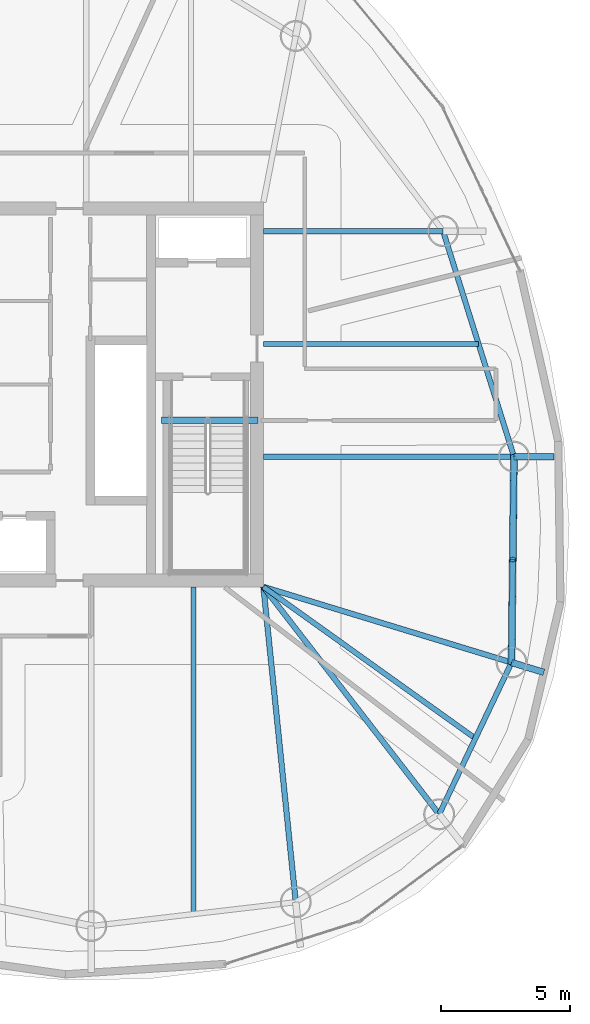
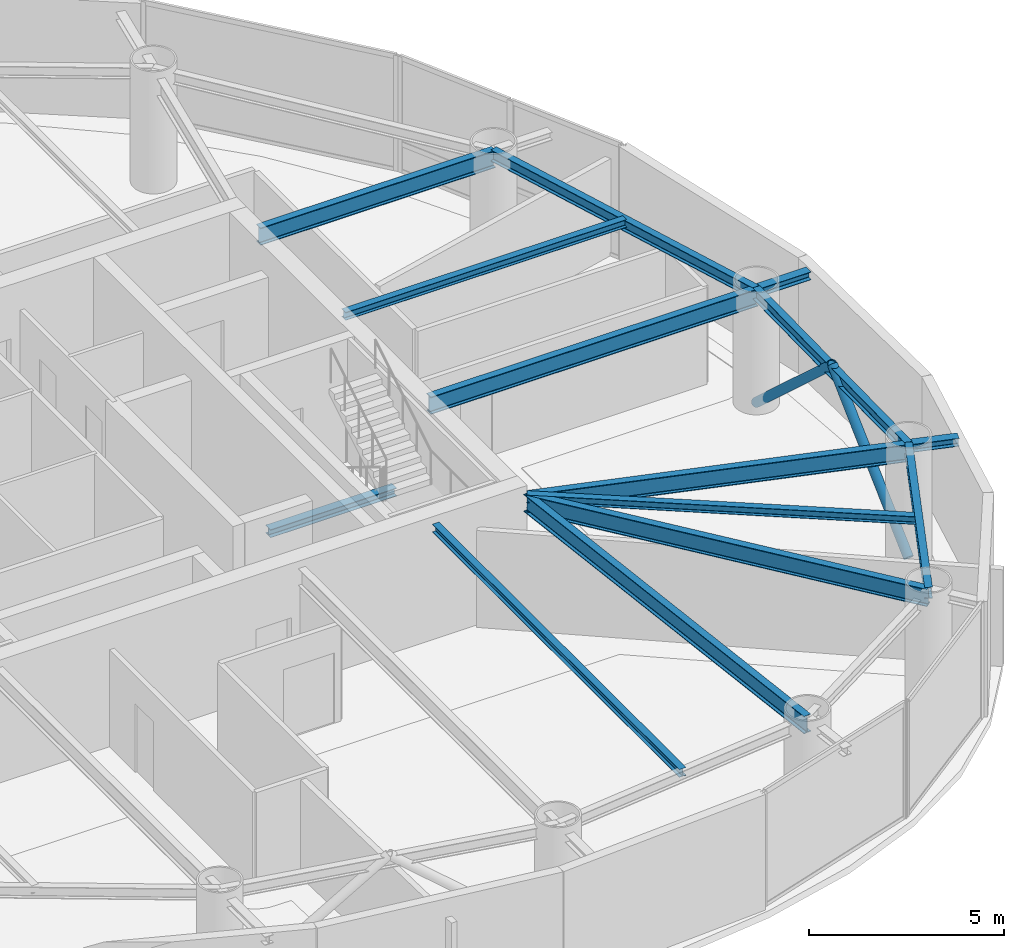
# One storey, part 7 of 20: 14 beams, 2 members.
"""IFC4 building model written with IfcOpenShell, lengths in metres."""

from ifc_helpers import new_model, si_unit, direction, frame, origin, origin_2d, place, context, subcontext, project, spatial, hollow_circle, i_section, extrude, material, material_profile, profile_set, type_object, element, save


model = new_model("IFC4")

# Units and contexts
model_context = context("Model", 3, precision=1e-05, world=origin(), true_north=direction((0.0, 1.0)))
body_context = subcontext(model_context, "Body", "Model", "MODEL_VIEW")
ifc_project = project(units=[si_unit("LENGTHUNIT", "METRE"), si_unit("AREAUNIT", "SQUARE_METRE"), si_unit("VOLUMEUNIT", "CUBIC_METRE"), si_unit("PLANEANGLEUNIT", "RADIAN"), si_unit("MASSUNIT", "GRAM", prefix="KILO")], contexts=[model_context])

# Site, building, storey
site_placement = place(None, origin())
site = spatial("IfcSite", under=ifc_project, at=site_placement, CompositionType="ELEMENT")
building_placement = place(site_placement, origin())
building = spatial("IfcBuilding", under=site, at=building_placement, Name="Bramvorn Convention Spire", CompositionType="ELEMENT")
storey_placement = place(building_placement, frame((0.0, 0.0, 202.0)))
storey = spatial("IfcBuildingStorey", under=building, at=storey_placement, Name="L51", CompositionType="ELEMENT", Elevation=202.0)

# Beams
ifc_material = material(Name="Steel CSA G40.21 Grade 350 (350W)", Category="steel")
ifc_material_profile_1 = material_profile(ifc_material, i_section(OverallWidth=0.201904296875, OverallDepth=0.2470703125, WebThickness=0.00732421875, FlangeThickness=0.010986328125, FilletRadius=0.011962890625, at=origin_2d()))
ifc_profile_set_1 = profile_set([ifc_material_profile_1], Name="Steel CSA G40.21 Grade 350 (350W) - W250X49")
beam_type_1 = type_object("IfcBeamType", Name="BM-W250X49", PredefinedType="JOIST", material=ifc_profile_set_1)
beam_1_placement = place(storey_placement, frame((49.25, 18.550048828125, 3.49658203125), z_axis=(0.813471895271, -0.581604225916, 0.0), x_axis=(0.581604225916, 0.813471895271, 0.0)))
element("IfcBeam", 1, at=beam_1_placement, inside=storey, type_object=beam_type_1, Name="L51 composite floor joist 01", PredefinedType="JOIST", context=body_context, shape_type="SweptSolid", body=[
    extrude(i_section(OverallWidth=0.201904296875, OverallDepth=0.2470703125, WebThickness=0.00732421875, FlangeThickness=0.010986328125, FilletRadius=0.011962890625, at=origin_2d()), origin(), (0.0, 0.0, 1.0), 10.093505859375),
])
beam_2_placement = place(storey_placement, frame((49.25, 27.960205078125, 3.49658203125), z_axis=(1.0, 0.0, 0.0), x_axis=(0.0, 1.0, 0.0)))
element("IfcBeam", 2, at=beam_2_placement, inside=storey, type_object=beam_type_1, Name="L51 composite floor joist 03", PredefinedType="JOIST", context=body_context, shape_type="SweptSolid", body=[
    extrude(i_section(OverallWidth=0.201904296875, OverallDepth=0.2470703125, WebThickness=0.00732421875, FlangeThickness=0.010986328125, FilletRadius=0.011962890625, at=origin_2d()), origin(), (0.0, 0.0, 1.0), 8.33251953125),
])
beam_3_placement = place(storey_placement, frame((46.544189453125, 18.550048828125, 3.49658203125), z_axis=(0.0, -1.0, 0.0), x_axis=(1.0, 0.0, 0.0)))
element("IfcBeam", 3, at=beam_3_placement, inside=storey, type_object=beam_type_1, Name="L51 composite floor joist 15", PredefinedType="JOIST", context=body_context, shape_type="SweptSolid", body=[
    extrude(i_section(OverallWidth=0.201904296875, OverallDepth=0.2470703125, WebThickness=0.00732421875, FlangeThickness=0.010986328125, FilletRadius=0.011962890625, at=origin_2d()), origin(), (0.0, 0.0, 1.0), 12.67626953125),
])
ifc_material_profile_2 = material_profile(ifc_material, i_section(OverallWidth=0.25390625, OverallDepth=0.2529296875, WebThickness=0.008544921875, FlangeThickness=0.01416015625, FilletRadius=0.011962890625, at=origin_2d()))
ifc_profile_set_2 = profile_set([ifc_material_profile_2], Name="Steel CSA G40.21 Grade 350 (350W) - W250X73")
beam_type_2 = type_object("IfcBeamType", Name="BM-W250X73", PredefinedType="BEAM", material=ifc_profile_set_2)
beam_4_placement = place(storey_placement, frame((58.863037109375, 15.619384765625, 3.493408203125), z_axis=(0.956551567749, -0.291563197673, 0.0), x_axis=(0.291563197673, 0.956551567749, 0.0)))
element("IfcBeam", 4, at=beam_4_placement, inside=storey, type_object=beam_type_2, Name="L51 slab-edge cantilever tip beam MC02", PredefinedType="BEAM", context=body_context, shape_type="SweptSolid", body=[
    extrude(i_section(OverallWidth=0.25390625, OverallDepth=0.2529296875, WebThickness=0.008544921875, FlangeThickness=0.01416015625, FilletRadius=0.011962890625, at=origin_2d()), origin(), (0.0, 0.0, 1.0), 1.30615234375),
])
beam_5_placement = place(storey_placement, frame((58.95458984375, 23.593505859375, 3.493408203125), z_axis=(1.0, 0.0, 0.0), x_axis=(0.0, 1.0, 0.0)))
element("IfcBeam", 5, at=beam_5_placement, inside=storey, type_object=beam_type_2, Name="L51 slab-edge cantilever tip beam MC03", PredefinedType="BEAM", context=body_context, shape_type="SweptSolid", body=[
    extrude(i_section(OverallWidth=0.25390625, OverallDepth=0.2529296875, WebThickness=0.008544921875, FlangeThickness=0.01416015625, FilletRadius=0.011962890625, at=origin_2d()), origin(), (0.0, 0.0, 1.0), 1.552490234375),
])
beam_6_placement = place(storey_placement, frame((45.31005859375, 25.010009765625, -0.12646484375), z_axis=(1.0, 0.0, 0.0), x_axis=(0.0, 1.0, 0.0)))
element("IfcBeam", 6, at=beam_6_placement, inside=storey, type_object=beam_type_2, Name="L51 ST2 stair arrival header beam", PredefinedType="BEAM", context=body_context, shape_type="SweptSolid", body=[
    extrude(i_section(OverallWidth=0.25390625, OverallDepth=0.2529296875, WebThickness=0.008544921875, FlangeThickness=0.01416015625, FilletRadius=0.011962890625, at=origin_2d()), origin(), (0.0, 0.0, 1.0), 3.739990234375),
])
ifc_material_profile_3 = material_profile(ifc_material, i_section(OverallWidth=0.205078125, OverallDepth=0.35400390625, WebThickness=0.009521484375, FlangeThickness=0.016845703125, FilletRadius=0.014892578125, at=origin_2d()))
ifc_profile_set_3 = profile_set([ifc_material_profile_3], Name="Steel CSA G40.21 Grade 350 (350W) - W360X79")
beam_type_3 = type_object("IfcBeamType", Name="BM-W360X79", PredefinedType="JOIST", material=ifc_profile_set_3)
beam_7_placement = place(storey_placement, frame((56.058349609375, 9.739990234375, 3.443115234375), z_axis=(0.430556138422, 0.902563799223, 0.0), x_axis=(-0.902563799223, 0.430556138422, 0.0)))
element("IfcBeam", 7, at=beam_7_placement, inside=storey, type_object=beam_type_3, Name="L51 mega-column ring beam 01", PredefinedType="JOIST", context=body_context, shape_type="SweptSolid", body=[
    extrude(i_section(OverallWidth=0.205078125, OverallDepth=0.35400390625, WebThickness=0.009521484375, FlangeThickness=0.016845703125, FilletRadius=0.014892578125, at=origin_2d()), origin(), (0.0, 0.0, 1.0), 6.51416015625),
])
beam_8_placement = place(storey_placement, frame((58.863037109375, 15.619384765625, 3.443115234375), z_axis=(0.011480475367, 0.999934097171, 0.0), x_axis=(-0.999934097171, 0.011480475367, 0.0)))
element("IfcBeam", 8, at=beam_8_placement, inside=storey, type_object=beam_type_3, Name="L51 mega-column ring beam 02", PredefinedType="JOIST", context=body_context, shape_type="SweptSolid", body=[
    extrude(i_section(OverallWidth=0.205078125, OverallDepth=0.35400390625, WebThickness=0.009521484375, FlangeThickness=0.016845703125, FilletRadius=0.014892578125, at=origin_2d()), origin(), (0.0, 0.0, 1.0), 7.974609375),
])
beam_9_placement = place(storey_placement, frame((58.95458984375, 23.593505859375, 3.443115234375), z_axis=(-0.299747542929, 0.954018558786, 0.0), x_axis=(-0.954018558786, -0.299747542929, 0.0)))
element("IfcBeam", 9, at=beam_9_placement, inside=storey, type_object=beam_type_3, Name="L51 mega-column ring beam 03", PredefinedType="JOIST", context=body_context, shape_type="SweptSolid", body=[
    extrude(i_section(OverallWidth=0.205078125, OverallDepth=0.35400390625, WebThickness=0.009521484375, FlangeThickness=0.016845703125, FilletRadius=0.014892578125, at=origin_2d()), origin(), (0.0, 0.0, 1.0), 9.15478515625),
])
ifc_material_profile_4 = material_profile(ifc_material, i_section(OverallWidth=0.2119140625, OverallDepth=0.5439453125, WebThickness=0.01318359375, FlangeThickness=0.021240234375, FilletRadius=0.01904296875, at=origin_2d()))
ifc_profile_set_4 = profile_set([ifc_material_profile_4], Name="Steel CSA G40.21 Grade 350 (350W) - W530X123")
beam_type_4 = type_object("IfcBeamType", Name="BM-W530X123", PredefinedType="BEAM", material=ifc_profile_set_4)
beam_10_placement = place(storey_placement, frame((49.25, 18.550048828125, 3.347900390625), z_axis=(0.611479951477, -0.791259925019, 0.0), x_axis=(0.791259925019, 0.611479951477, 0.0)))
element("IfcBeam", 10, at=beam_10_placement, inside=storey, type_object=beam_type_4, Name="L51 radial floor girder MC01", PredefinedType="BEAM", context=body_context, shape_type="SweptSolid", body=[
    extrude(i_section(OverallWidth=0.2119140625, OverallDepth=0.5439453125, WebThickness=0.01318359375, FlangeThickness=0.021240234375, FilletRadius=0.01904296875, at=origin_2d()), origin(), (0.0, 0.0, 1.0), 11.13427734375),
])
beam_11_placement = place(storey_placement, frame((49.25, 18.550048828125, 3.347900390625), z_axis=(0.95653637984, -0.291613021044, 0.0), x_axis=(0.291613021044, 0.95653637984, 0.0)))
element("IfcBeam", 11, at=beam_11_placement, inside=storey, type_object=beam_type_4, Name="L51 radial floor girder MC02", PredefinedType="BEAM", context=body_context, shape_type="SweptSolid", body=[
    extrude(i_section(OverallWidth=0.2119140625, OverallDepth=0.5439453125, WebThickness=0.01318359375, FlangeThickness=0.021240234375, FilletRadius=0.01904296875, at=origin_2d()), origin(), (0.0, 0.0, 1.0), 10.0498046875),
])
beam_12_placement = place(storey_placement, frame((49.25, 23.593505859375, 3.347900390625), z_axis=(1.0, 0.0, 0.0), x_axis=(0.0, 1.0, 0.0)))
element("IfcBeam", 12, at=beam_12_placement, inside=storey, type_object=beam_type_4, Name="L51 radial floor girder MC03", PredefinedType="BEAM", context=body_context, shape_type="SweptSolid", body=[
    extrude(i_section(OverallWidth=0.2119140625, OverallDepth=0.5439453125, WebThickness=0.01318359375, FlangeThickness=0.021240234375, FilletRadius=0.01904296875, at=origin_2d()), origin(), (0.0, 0.0, 1.0), 9.70458984375),
])
beam_13_placement = place(storey_placement, frame((49.25, 32.327392578125, 3.347900390625), z_axis=(1.0, 0.0, 0.0), x_axis=(0.0, 1.0, 0.0)))
element("IfcBeam", 13, at=beam_13_placement, inside=storey, type_object=beam_type_4, Name="L51 radial floor girder MC04", PredefinedType="BEAM", context=body_context, shape_type="SweptSolid", body=[
    extrude(i_section(OverallWidth=0.2119140625, OverallDepth=0.5439453125, WebThickness=0.01318359375, FlangeThickness=0.021240234375, FilletRadius=0.01904296875, at=origin_2d()), origin(), (0.0, 0.0, 1.0), 6.96044921875),
])
beam_14_placement = place(storey_placement, frame((49.25, 18.550048828125, 3.347900390625), z_axis=(0.10216509146, -0.994767457292, 0.0), x_axis=(0.994767457292, 0.10216509146, 0.0)))
element("IfcBeam", 14, at=beam_14_placement, inside=storey, type_object=beam_type_4, Name="L51 radial floor girder MC16", PredefinedType="BEAM", context=body_context, shape_type="SweptSolid", body=[
    extrude(i_section(OverallWidth=0.2119140625, OverallDepth=0.5439453125, WebThickness=0.01318359375, FlangeThickness=0.021240234375, FilletRadius=0.01904296875, at=origin_2d()), origin(), (0.0, 0.0, 1.0), 12.278076171875),
])

# Members
ifc_material_profile_5 = material_profile(ifc_material, hollow_circle(Radius=0.136474609375, WallThickness=0.0126953125, at=origin_2d()))
ifc_profile_set_5 = profile_set([ifc_material_profile_5], Name="Steel CSA G40.21 Grade 350 (350W) - CHS273X13")
member_type = type_object("IfcMemberType", Name="MBR-CHS273X13", PredefinedType="BRACE", material=ifc_profile_set_5)
for number, where, z_axis, x_axis, name in (
    (15, (58.863037109375, 15.619384765625, 0.0), (0.008522537115, 0.740327412931, 0.672192448652), (-0.999933745256, 0.011511085917, 0.0), "L51 perimeter Gothic lancet brace 2A"),
    (16, (58.95458984375, 23.593505859375, 0.0), (-0.008477207738, -0.740327698195, 0.672192707662), (0.99993444815, -0.011449864785, 0.0), "L51 perimeter Gothic lancet brace 2B"),
):
    element("IfcMember", number, at=place(storey_placement, frame(where, z_axis=z_axis, x_axis=x_axis)), inside=storey, type_object=member_type, Name=name, PredefinedType="BRACE", context=body_context, shape_type="SweptSolid", body=[
        extrude(hollow_circle(Radius=0.136474609375, WallThickness=0.0126953125, at=origin_2d()), origin(), (0.0, 0.0, 1.0), 5.385498046875),
    ])

save(model, "model.ifc")
